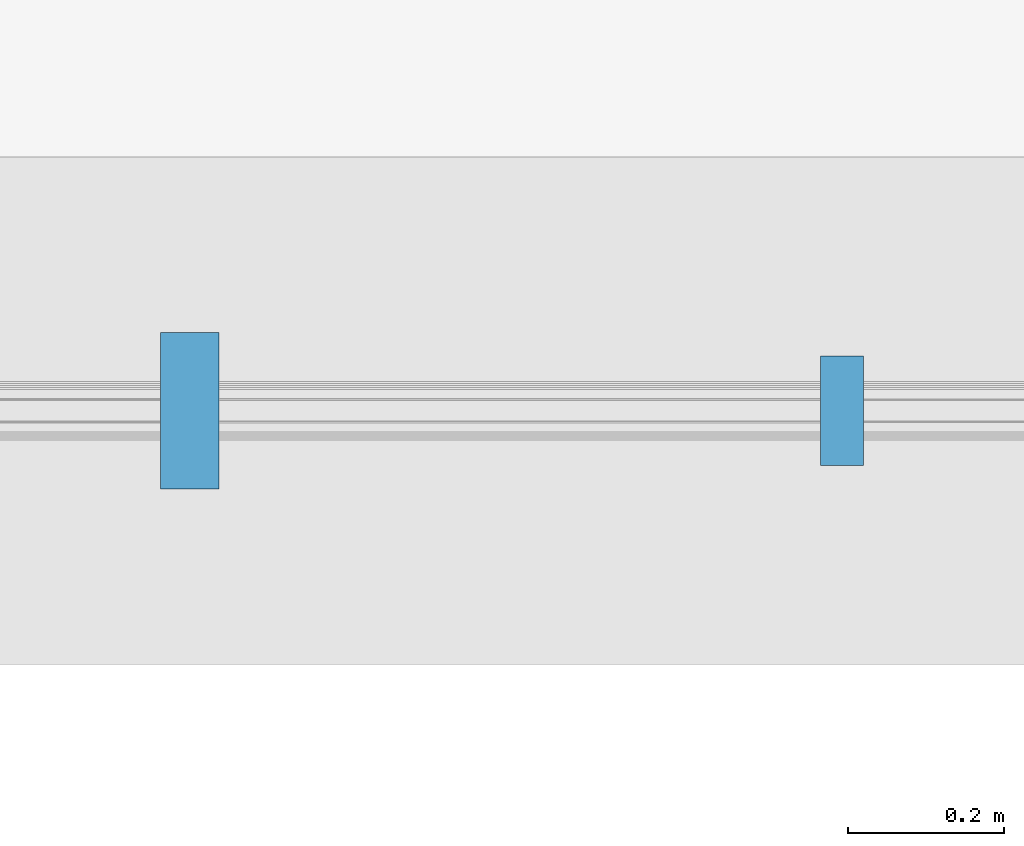
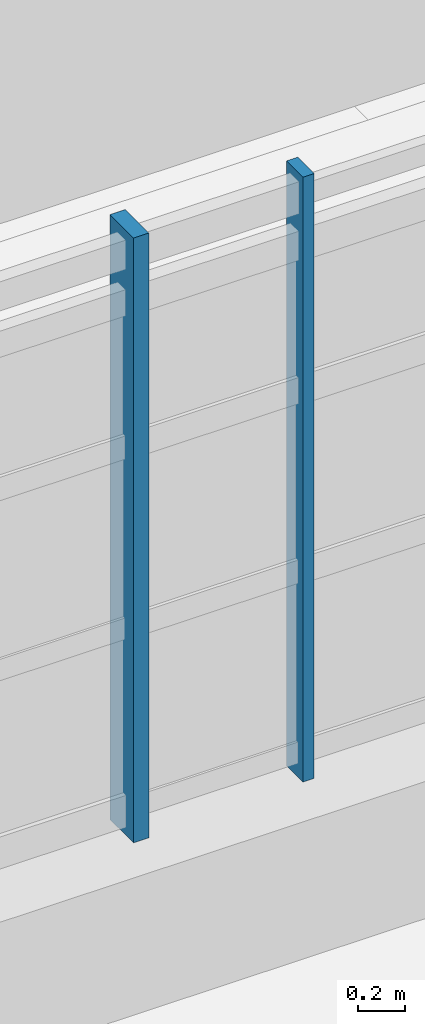
# One storey, part 30 of 125: 2 members, 1 element without a shape of its own.
"""IFC4 building model written with IfcOpenShell, lengths in metres."""

from ifc_helpers import new_model, si_unit, direction, frame, origin, origin_2d, place, context, subcontext, project, spatial, rectangle, extrude, material, material_profile, profile_set, type_object, element, aggregate, save


model = new_model("IFC4")

# Units and contexts
model_context = context("Model", 3, precision=1e-05, world=origin(), true_north=direction((0.0, 1.0)))
body_context = subcontext(model_context, "Body", "Model", "MODEL_VIEW")
ifc_project = project(units=[si_unit("LENGTHUNIT", "METRE"), si_unit("AREAUNIT", "SQUARE_METRE"), si_unit("VOLUMEUNIT", "CUBIC_METRE"), si_unit("PLANEANGLEUNIT", "RADIAN"), si_unit("MASSUNIT", "GRAM", prefix="KILO")], contexts=[model_context])

# Site, building, storey
site_placement = place(None, origin())
site = spatial("IfcSite", under=ifc_project, at=site_placement, CompositionType="ELEMENT")
building_placement = place(site_placement, origin())
building = spatial("IfcBuilding", under=site, at=building_placement, Name="Serraforn Aerial Cableway Station", CompositionType="ELEMENT")
storey_placement = place(building_placement, frame((0.0, 0.0, 4.5)))
storey = spatial("IfcBuildingStorey", under=building, at=storey_placement, Name="L01", CompositionType="ELEMENT", Elevation=4.5)

# Curtain wall, members
ifc_material_1 = material(Name="Anodised bronze unitised curtain wall")
curtain_wall_type = type_object("IfcCurtainWallType", Name="CW-SYS-18", PredefinedType="USERDEFINED", material=ifc_material_1)
curtain_wall_placement = place(storey_placement, origin())
curtain_wall = element("IfcCurtainWall", 1, at=curtain_wall_placement, inside=storey, type_object=curtain_wall_type, Name="Unitised Curtain Wall CW-EL-L01-S4B", ObjectType="UNITISED CURTAIN WALL", PredefinedType="USERDEFINED")
ifc_material_2 = material(Name="Anodised bronze extruded aluminium", Category="aluminium")
ifc_material_profile_1 = material_profile(ifc_material_2, rectangle(XDim=0.054931640625, YDim=0.139892578125, at=origin_2d()), Name="CW MULLION 55x140")
ifc_profile_set_1 = profile_set([ifc_material_profile_1], Name="Anodised bronze extruded aluminium")
member_type_1 = type_object("IfcMemberType", Name="CW-MUL-1", PredefinedType="MULLION", material=ifc_profile_set_1)
member_1_placement = place(storey_placement, frame((127.548828125, 26.0, 0.0), z_axis=(0.0, 0.0, 1.0), x_axis=(1.0, 0.0, 0.0)))
member_1 = element("IfcMember", 2, at=member_1_placement, type_object=member_type_1, Name="Curtain Wall Mullion CW-EL-L01-S4B-M3", PredefinedType="MULLION", context=body_context, shape_type="SweptSolid", body=[
    extrude(rectangle(XDim=0.054931640625, YDim=0.139892578125, at=origin_2d()), origin(), (0.0, 0.0, 1.0), 3.1201171875),
])
ifc_material_profile_2 = material_profile(ifc_material_2, rectangle(XDim=0.074951171875, YDim=0.199951171875, at=origin_2d()), Name="CW MULLION 75x200")
ifc_profile_set_2 = profile_set([ifc_material_profile_2], Name="Anodised bronze extruded aluminium")
member_type_2 = type_object("IfcMemberType", Name="CW-MUL-5", PredefinedType="MULLION", material=ifc_profile_set_2)
member_2_placement = place(storey_placement, frame((126.71435546875, 26.0, 0.0), z_axis=(0.0, 0.0, 1.0), x_axis=(1.0, 0.0, 0.0)))
member_2 = element("IfcMember", 3, at=member_2_placement, type_object=member_type_2, Name="Curtain Wall Mullion CW-EL-L01-S4B-M2", PredefinedType="MULLION", context=body_context, shape_type="SweptSolid", body=[
    extrude(rectangle(XDim=0.074951171875, YDim=0.199951171875, at=origin_2d()), origin(), (0.0, 0.0, 1.0), 3.1201171875),
])
aggregate(curtain_wall, [member_2, member_1])

save(model, "model.ifc")
